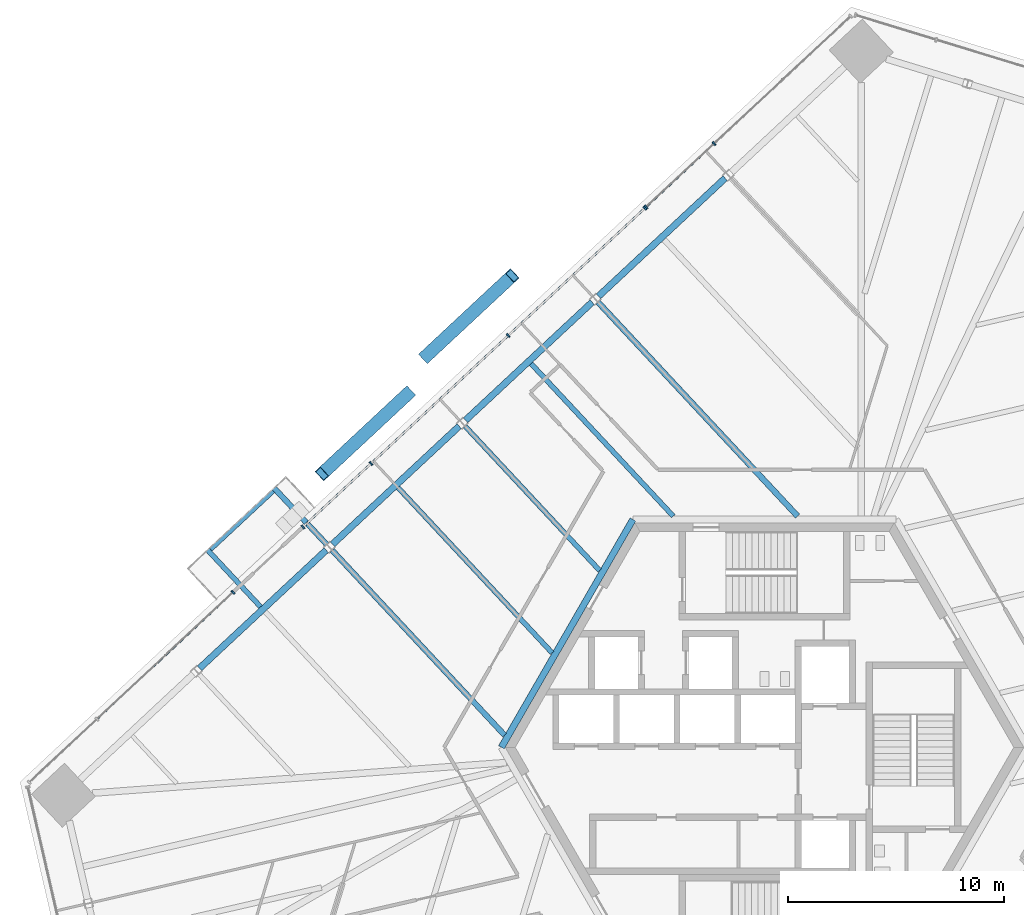
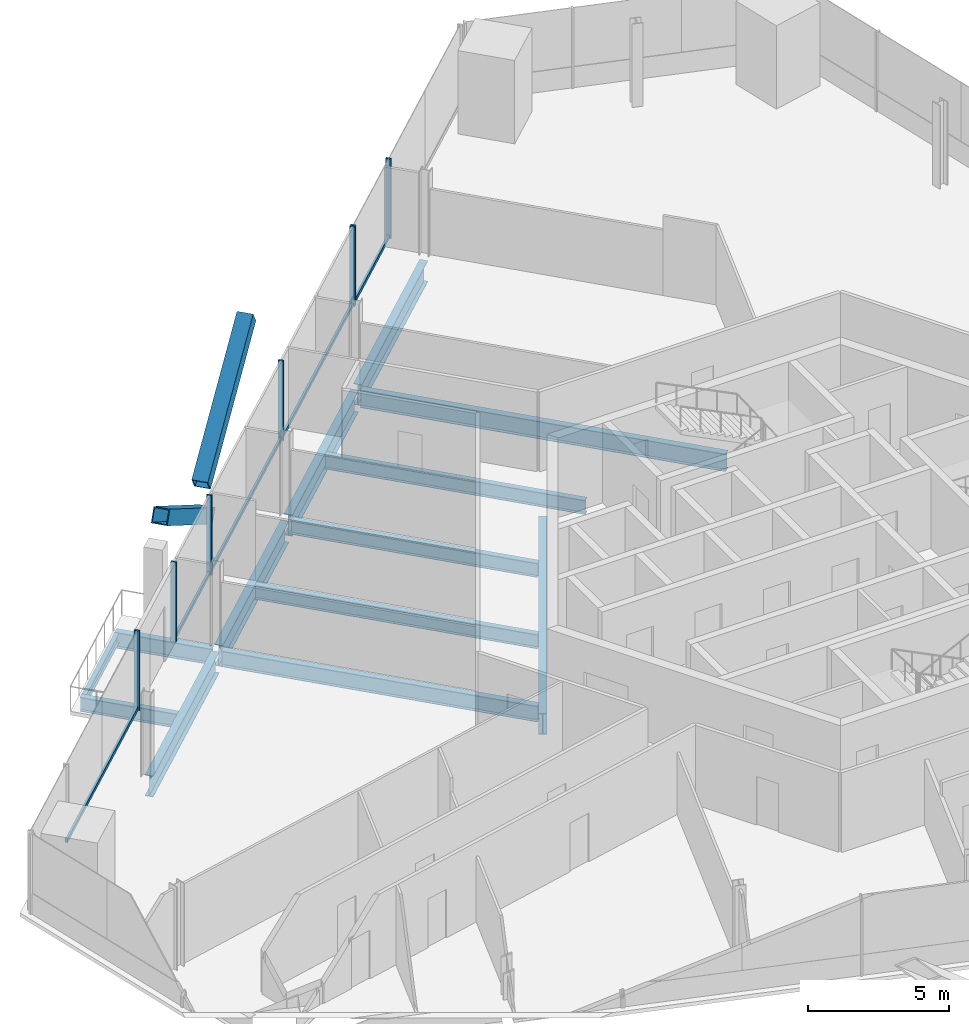
# One storey, part 8 of 20: 14 members, 13 beams, 3 elements without a shape of their own.
"""IFC4 building model written with IfcOpenShell, lengths in metres."""

import ifcopenshell
import ifcopenshell.guid

model = None  # the IFC model being written
_history = None  # IfcOwnerHistory: only IFC2X3 demands one
_inside = {}  # id of a spatial element -> (the spatial element, [elements in it])
_under = {}  # id of a project, library or spatial element -> (it, [spatial elements below it])
_declared = {}  # id of a project -> (the project, [libraries it declares])
_typed = {}  # id of a type object -> (the type object, [elements of that type])
_made_of = {}  # id of a material, layer set ... -> (it, [elements and type objects made of it])


def new_model(schema):
    """Start an empty IFC model of exactly this schema.

    Asked for "IFC4X3", IfcOpenShell would pick the latest addendum, in which some entities
    have other attributes; the version numbers below select the first issue.
    IFC2X3 requires an IfcOwnerHistory on every rooted entity: one is made here for all.
    """
    global model, _history
    if schema == "IFC4X3":
        model = ifcopenshell.file(schema_version=(4, 3, 0, 0))
    else:
        model = ifcopenshell.file(schema=schema)
    _inside.clear()
    _under.clear()
    _declared.clear()
    _typed.clear()
    _made_of.clear()
    _history = None
    if model.schema == "IFC2X3":
        org = make("IfcOrganization", Name="unknown")
        user = make(
            "IfcPersonAndOrganization",
            ThePerson=make("IfcPerson", FamilyName="unknown"),
            TheOrganization=org,
        )
        app = make(
            "IfcApplication",
            ApplicationDeveloper=org,
            Version="unknown",
            ApplicationFullName="unknown",
            ApplicationIdentifier="unknown",
        )
        _history = make(
            "IfcOwnerHistory",
            OwningUser=user,
            OwningApplication=app,
            ChangeAction="ADDED",
            CreationDate=0,
        )
    return model


def make(cls, **values):
    """One entity of the class cls with the attributes given. An attribute that is None is left unset."""
    return model.create_entity(
        cls, **{name: value for name, value in values.items() if value is not None}
    )


def rooted(cls, **values):
    """An entity with a GlobalId (a new one), such as an element, a storey or a relation."""
    return make(cls, GlobalId=ifcopenshell.guid.new(), OwnerHistory=_history, **values)


def si_unit(unit_type, name, prefix=None):
    """IfcSIUnit, for example si_unit("LENGTHUNIT", "METRE", prefix="MILLI")."""
    return make("IfcSIUnit", UnitType=unit_type, Prefix=prefix, Name=name)


def assignment(units):
    """IfcUnitAssignment: the units of a project."""
    return None if units is None else make("IfcUnitAssignment", Units=units)


def point(xyz):
    """IfcCartesianPoint."""
    return None if xyz is None else make("IfcCartesianPoint", Coordinates=xyz)


def direction(xyz):
    """IfcDirection."""
    return None if xyz is None else make("IfcDirection", DirectionRatios=xyz)


def frame(location, z_axis=None, x_axis=None):
    """IfcAxis2Placement3D, a coordinate frame: its origin and axes. An axis left out is left unset."""
    return make(
        "IfcAxis2Placement3D",
        Location=point(location),
        Axis=direction(z_axis),
        RefDirection=direction(x_axis),
    )


def frame_2d(location, x_axis=None):
    """IfcAxis2Placement2D, a coordinate frame in the plane: its origin and x axis."""
    return make(
        "IfcAxis2Placement2D", Location=point(location), RefDirection=direction(x_axis)
    )


def origin():
    """The frame at (0, 0, 0) with its axes left unset."""
    return frame((0.0, 0.0, 0.0))


def origin_2d():
    """The frame at (0, 0) in the plane with its x axis left unset."""
    return frame_2d((0.0, 0.0))


def place(relative_to, where):
    """IfcLocalPlacement: puts the frame where relative to a parent placement (None: the world)."""
    return make(
        "IfcLocalPlacement", PlacementRelTo=relative_to, RelativePlacement=where
    )


def context(
    kind, dimensions, precision=None, world=None, true_north=None, identifier=None
):
    """IfcGeometricRepresentationContext, for example the 3D "Model" context."""
    return make(
        "IfcGeometricRepresentationContext",
        ContextIdentifier=identifier,
        ContextType=kind,
        CoordinateSpaceDimension=dimensions,
        Precision=precision,
        WorldCoordinateSystem=world,
        TrueNorth=true_north,
    )


def subcontext(parent, identifier, kind, view, scale=None):
    """IfcGeometricRepresentationSubContext, for example "Body" below "Model"."""
    return make(
        "IfcGeometricRepresentationSubContext",
        ContextIdentifier=identifier,
        ContextType=kind,
        ParentContext=parent,
        TargetScale=scale,
        TargetView=view,
    )


def project(units=None, contexts=None):
    """IfcProject with its units and contexts."""
    return rooted(
        "IfcProject",
        Name="project",
        RepresentationContexts=contexts,
        UnitsInContext=assignment(units),
    )


def spatial(cls, under=None, at=None, **own):
    """A site, building, storey or space (cls), placed at a placement, below another one or the project."""
    s = rooted(cls, ObjectPlacement=at, **own)
    if under is not None:
        _under.setdefault(under.id(), (under, []))[1].append(s)
    return s


def profile(cls, at=None, kind="AREA", **sizes):
    """A parametric profile (cls). Its sizes go by their IFC names, for example OverallWidth=200.0."""
    return make(cls, ProfileType=kind, Position=at, **sizes)


def rectangle(**sizes):
    """IfcRectangleProfileDef."""
    return profile("IfcRectangleProfileDef", **sizes)


def hollow_rectangle(**sizes):
    """IfcRectangleHollowProfileDef."""
    return profile("IfcRectangleHollowProfileDef", **sizes)


def i_section(**sizes):
    """IfcIShapeProfileDef."""
    return profile("IfcIShapeProfileDef", **sizes)


def extrude(swept, where, along, depth):
    """IfcExtrudedAreaSolid: the profile swept, set in the frame where, extruded along a direction by depth."""
    return make(
        "IfcExtrudedAreaSolid",
        SweptArea=swept,
        Position=where,
        ExtrudedDirection=direction(along),
        Depth=depth,
    )


def shape(context_of_items, identifier, shape_type, items):
    """IfcShapeRepresentation: the items that make up one representation, for example the "Body"."""
    return make(
        "IfcShapeRepresentation",
        ContextOfItems=context_of_items,
        RepresentationIdentifier=identifier,
        RepresentationType=shape_type,
        Items=items,
    )


def source(mapping_origin, context_of_items, identifier, shape_type, items):
    """IfcRepresentationMap: a shape defined once, which mapped items show again and again."""
    return make(
        "IfcRepresentationMap",
        MappingOrigin=mapping_origin,
        MappedRepresentation=shape(context_of_items, identifier, shape_type, items),
    )


def transform(
    local_origin,
    x_axis=None,
    y_axis=None,
    z_axis=None,
    scale=None,
    scale2=None,
    scale3=None,
    uniform=True,
):
    """IfcCartesianTransformationOperator3D, or its non-uniform kind. x_axis, y_axis, z_axis: its Axis1, 2, 3."""
    if uniform:
        return make(
            "IfcCartesianTransformationOperator3D",
            Axis1=direction(x_axis),
            Axis2=direction(y_axis),
            LocalOrigin=point(local_origin),
            Scale=scale,
            Axis3=direction(z_axis),
        )
    return make(
        "IfcCartesianTransformationOperator3DnonUniform",
        Axis1=direction(x_axis),
        Axis2=direction(y_axis),
        LocalOrigin=point(local_origin),
        Scale=scale,
        Axis3=direction(z_axis),
        Scale2=scale2,
        Scale3=scale3,
    )


def mapped(mapping_source, mapping_target):
    """IfcMappedItem: shows the shape of a source again, moved by a transform."""
    return make(
        "IfcMappedItem", MappingSource=mapping_source, MappingTarget=mapping_target
    )


def material(Name=None, Category=None):
    """IfcMaterial."""
    return make("IfcMaterial", Name=Name, Category=Category)


def material_profile(
    of_material, cross_section, Name=None, Category=None, Priority=None
):
    """IfcMaterialProfile: a cross section and its material."""
    return make(
        "IfcMaterialProfile",
        Name=Name,
        Material=of_material,
        Profile=cross_section,
        Priority=Priority,
        Category=Category,
    )


def profile_set(profiles, Name=None, composite=None):
    """IfcMaterialProfileSet."""
    return make(
        "IfcMaterialProfileSet",
        Name=Name,
        MaterialProfiles=profiles,
        CompositeProfile=composite,
    )


def made_of(thing, what):
    """Note that an element or type object is made of a material, layer set ...; save() writes the relation."""
    if what is not None:
        _made_of.setdefault(what.id(), (what, []))[1].append(thing)
    return thing


def type_object(cls, material=None, **own):
    """A type object (cls), such as IfcWallType, which elements share."""
    return made_of(rooted(cls, **own), material)


def element(
    cls,
    number,
    at=None,
    inside=None,
    cuts=None,
    type_object=None,
    material=None,
    context=None,
    identifier="Body",
    shape_type=None,
    held_by="IfcProductDefinitionShape",
    body=None,
    shapes=None,
    **own,
):
    """One element of the class cls, such as IfcWall. Its Tag is "e" and its number.

    at: its placement. inside: the storey or other place that contains it. cuts: it is an
    opening in that element (IfcRelVoidsElement). A single representation is given by context,
    identifier, shape_type and body (its items); several are given by shapes. held_by: the class
    of the entity that holds the representations. save() writes the other relations.
    """
    e = rooted(cls, Tag="e%d" % number, ObjectPlacement=at, **own)
    if body is not None:
        shapes = [shape(context, identifier, shape_type, body)]
    if shapes is not None:
        e.Representation = make(held_by, Representations=shapes)
    if inside is not None:
        _inside.setdefault(inside.id(), (inside, []))[1].append(e)
    if cuts is not None:
        rooted(
            "IfcRelVoidsElement", RelatingBuildingElement=cuts, RelatedOpeningElement=e
        )
    if type_object is not None:
        _typed.setdefault(type_object.id(), (type_object, []))[1].append(e)
    return made_of(e, material)


def aggregate(whole, parts):
    """IfcRelAggregates: a whole, such as a stair, and the parts it consists of."""
    return rooted("IfcRelAggregates", RelatingObject=whole, RelatedObjects=parts)


def save(model, path):
    """Write the relations noted so far, then the file.

    IfcRelAggregates (storeys below a building ...), IfcRelContainedInSpatialStructure (elements
    in a storey), IfcRelDefinesByType, IfcRelAssociatesMaterial and IfcRelDeclares: one each for
    every whole, place, type object, material and project.
    """
    for whole, parts in _under.values():
        aggregate(whole, parts)
    for where, things in _inside.values():
        rooted(
            "IfcRelContainedInSpatialStructure",
            RelatedElements=things,
            RelatingStructure=where,
        )
    for kind, things in _typed.values():
        rooted("IfcRelDefinesByType", RelatedObjects=things, RelatingType=kind)
    for what, things in _made_of.values():
        rooted("IfcRelAssociatesMaterial", RelatedObjects=things, RelatingMaterial=what)
    for by, libraries in _declared.values():
        rooted("IfcRelDeclares", RelatingContext=by, RelatedDefinitions=libraries)
    model.write(path)


model = new_model("IFC4")

# Units and contexts
model_context = context("Model", 3, precision=1e-05, world=origin(), true_north=direction((0.0, 1.0)))
body_context = subcontext(model_context, "Body", "Model", "MODEL_VIEW")
ifc_project = project(units=[si_unit("LENGTHUNIT", "METRE"), si_unit("AREAUNIT", "SQUARE_METRE"), si_unit("VOLUMEUNIT", "CUBIC_METRE"), si_unit("PLANEANGLEUNIT", "RADIAN"), si_unit("MASSUNIT", "GRAM", prefix="KILO")], contexts=[model_context])

# Site, building, storey
site_placement = place(None, origin())
site = spatial("IfcSite", under=ifc_project, at=site_placement, CompositionType="ELEMENT")
building_placement = place(site_placement, origin())
building = spatial("IfcBuilding", under=site, at=building_placement, Name="Triune Harvest Tower", CompositionType="ELEMENT")
storey_placement = place(building_placement, frame((0.0, 0.0, 116.300048828125)))
storey = spatial("IfcBuildingStorey", under=building, at=storey_placement, Name="L29", CompositionType="ELEMENT", Elevation=116.300048828125)

# Beams
ifc_material_1 = material(Name="Steel ASTM A992 Gr 50", Category="steel")
ifc_material_profile_1 = material_profile(ifc_material_1, i_section(OverallWidth=0.180908203125, OverallDepth=0.41650390625, WebThickness=0.010986328125, FlangeThickness=0.01806640625, at=origin_2d()), Name="W16x57")
ifc_profile_set_1 = profile_set([ifc_material_profile_1], Name="Steel ASTM A992 Gr 50")
beam_type_1 = type_object("IfcBeamType", Name="BE-1 balcony edge beam W16x57", PredefinedType="BEAM", material=ifc_profile_set_1)
beam_1_placement = place(storey_placement, frame((-25.627685546875, 9.143310546875, -0.368408203125), z_axis=(0.731362275465, 0.681989165623, 0.0), x_axis=(-0.681989165623, 0.731362275465, 0.0)))
element("IfcBeam", 1, at=beam_1_placement, inside=storey, type_object=beam_type_1, Name="Balcony edge beam B3-F3 L29.9", PredefinedType="BEAM", context=body_context, shape_type="SweptSolid", body=[
    extrude(i_section(OverallWidth=0.180908203125, OverallDepth=0.41650390625, WebThickness=0.010986328125, FlangeThickness=0.01806640625, at=origin_2d()), origin(), (0.0, 0.0, 1.0), 3.9658203125),
])
ifc_material_2 = material(Name="Steel ASTM A992 Gr 50", Category="steel")
ifc_material_profile_2 = material_profile(ifc_material_2, i_section(OverallWidth=0.3046875, OverallDepth=0.914306640625, WebThickness=0.0166015625, FlangeThickness=0.02587890625, at=origin_2d()), Name="W36x160")
ifc_profile_set_2 = profile_set([ifc_material_profile_2], Name="Steel ASTM A992 Gr 50")
beam_type_2 = type_object("IfcBeamType", Name="CG-1 Core ring girder W36x160", PredefinedType="BEAM", material=ifc_profile_set_2)
shared_shape_1 = source(origin(), body_context, "Body", "SweptSolid", [
    extrude(i_section(OverallWidth=0.3046875, OverallDepth=0.914306640625, WebThickness=0.0166015625, FlangeThickness=0.02587890625, at=origin_2d()), origin(), (0.0, 0.0, 1.0), 12.176025390625),
])
beam_2_placement = place(storey_placement, frame((-6.087890625, 10.544677734375, -0.6171875), z_axis=(-0.5000099932, -0.866019634131, 0.0), x_axis=(0.866019634131, -0.5000099932, 0.0)))
element("IfcBeam", 2, at=beam_2_placement, inside=storey, type_object=beam_type_2, Name="beam/L29/CG3", PredefinedType="BEAM", context=body_context, shape_type="MappedRepresentation", body=[
    mapped(shared_shape_1, transform((0.0, 0.0, 0.0), scale=1.0)),
])
ifc_material_3 = material(Name="Steel ASTM A992 Gr 50", Category="steel")
ifc_material_profile_3 = material_profile(ifc_material_3, i_section(OverallWidth=0.3046875, OverallDepth=0.914306640625, WebThickness=0.0166015625, FlangeThickness=0.02587890625, at=origin_2d()), Name="W36x160")
ifc_profile_set_3 = profile_set([ifc_material_profile_3], Name="Steel ASTM A992 Gr 50")
beam_type_3 = type_object("IfcBeamType", Name="SB-1 Spandrel beam W36x160", PredefinedType="SPANDREL", material=ifc_profile_set_3)
shared_shape_2 = source(origin(), body_context, "Body", "SweptSolid", [
    extrude(i_section(OverallWidth=0.3046875, OverallDepth=0.914306640625, WebThickness=0.0166015625, FlangeThickness=0.02587890625, at=origin_2d()), origin(), (0.0, 0.0, 1.0), 8.018310546875),
])
for number, where, z_axis, x_axis, name in (
    (3, (-7.9755859375, 20.600341796875, -0.6171875), (-0.731353889465, -0.681998158623, 0.0), (0.681998158623, -0.731353889465, 0.0), "beam/L29/SB11"),
    (4, (-14.129638671875, 14.86181640625, -0.6171875), (-0.731353889465, -0.681998158623, 0.0), (0.681998158623, -0.731353889465, 0.0), "beam/L29/SB12"),
):
    element("IfcBeam", number, at=place(storey_placement, frame(where, z_axis=z_axis, x_axis=x_axis)), inside=storey, type_object=beam_type_3, Name=name, PredefinedType="SPANDREL", context=body_context, shape_type="MappedRepresentation", body=[
        mapped(shared_shape_2, transform((0.0, 0.0, 0.0), scale=1.0)),
    ])
shared_shape_3 = source(origin(), body_context, "Body", "SweptSolid", [
    extrude(i_section(OverallWidth=0.3046875, OverallDepth=0.914306640625, WebThickness=0.0166015625, FlangeThickness=0.02587890625, at=origin_2d()), origin(), (0.0, 0.0, 1.0), 8.01806640625),
])
for number, where, z_axis, x_axis, name in (
    (5, (-1.82177734375, 26.339111328125, -0.6171875), (-0.731339727109, -0.682013345582, 0.0), (0.682013345582, -0.731339727109, 0.0), "beam/L29/SB10"),
    (6, (-20.28369140625, 9.123046875, -0.6171875), (-0.731339727109, -0.682013345582, 0.0), (0.682013345582, -0.731339727109, 0.0), "beam/L29/SB13"),
):
    element("IfcBeam", number, at=place(storey_placement, frame(where, z_axis=z_axis, x_axis=x_axis)), inside=storey, type_object=beam_type_3, Name=name, PredefinedType="SPANDREL", context=body_context, shape_type="MappedRepresentation", body=[
        mapped(shared_shape_3, transform((0.0, 0.0, 0.0), scale=1.0)),
    ])
ifc_material_4 = material(Name="Steel ASTM A992 Gr 50", Category="steel")
ifc_material_profile_4 = material_profile(ifc_material_4, i_section(OverallWidth=0.2666015625, OverallDepth=0.7568359375, WebThickness=0.013916015625, FlangeThickness=0.019287109375, at=origin_2d()), Name="W30x108")
ifc_profile_set_4 = profile_set([ifc_material_profile_4], Name="Steel ASTM A992 Gr 50")
beam_type_4 = type_object("IfcBeamType", Name="JT-5 Floor joist W30x108", PredefinedType="JOIST", material=ifc_profile_set_4)
shared_shape_4 = source(origin(), body_context, "Body", "SweptSolid", [
    extrude(i_section(OverallWidth=0.2666015625, OverallDepth=0.7568359375, WebThickness=0.013916015625, FlangeThickness=0.019287109375, at=origin_2d()), origin(), (0.0, 0.0, 1.0), 13.535400390625),
])
beam_3_placement = place(storey_placement, frame((-7.700927734375, 20.59619140625, -0.53857421875), z_axis=(0.681991710808, -0.731359902093, 0.0), x_axis=(0.731359902093, 0.681991710808, 0.0)))
element("IfcBeam", 7, at=beam_3_placement, inside=storey, type_object=beam_type_4, Name="beam/L29/JT17", PredefinedType="JOIST", context=body_context, shape_type="MappedRepresentation", body=[
    mapped(shared_shape_4, transform((0.0, 0.0, 0.0), scale=1.0)),
])
ifc_material_5 = material(Name="Steel ASTM A992 Gr 50", Category="steel")
ifc_material_profile_5 = material_profile(ifc_material_5, i_section(OverallWidth=0.22900390625, OverallDepth=0.612060546875, WebThickness=0.011962890625, FlangeThickness=0.01953125, at=origin_2d()), Name="W24x84")
ifc_profile_set_5 = profile_set([ifc_material_profile_5], Name="Steel ASTM A992 Gr 50")
beam_type_5 = type_object("IfcBeamType", Name="JT-3 Floor joist W24x84", PredefinedType="JOIST", material=ifc_profile_set_5)
shared_shape_5 = source(origin(), body_context, "Body", "SweptSolid", [
    extrude(i_section(OverallWidth=0.22900390625, OverallDepth=0.612060546875, WebThickness=0.011962890625, FlangeThickness=0.01953125, at=origin_2d()), origin(), (0.0, 0.0, 1.0), 9.64990234375),
])
beam_4_placement = place(storey_placement, frame((-10.8037109375, 17.754638671875, -0.466064453125), z_axis=(0.681982850357, -0.731368164346, 0.0), x_axis=(0.731368164346, 0.681982850357, 0.0)))
element("IfcBeam", 8, at=beam_4_placement, inside=storey, type_object=beam_type_5, Name="beam/L29/JT18", PredefinedType="JOIST", context=body_context, shape_type="MappedRepresentation", body=[
    mapped(shared_shape_5, transform((0.0, 0.0, 0.0), scale=1.0)),
])
shared_shape_6 = source(origin(), body_context, "Body", "SweptSolid", [
    extrude(i_section(OverallWidth=0.22900390625, OverallDepth=0.612060546875, WebThickness=0.011962890625, FlangeThickness=0.01953125, at=origin_2d()), origin(), (0.0, 0.0, 1.0), 9.12890625),
])
beam_5_placement = place(storey_placement, frame((-13.854736328125, 14.857421875, -0.466064453125), z_axis=(0.681991349896, -0.731360238642, 0.0), x_axis=(0.731360238642, 0.681991349896, 0.0)))
element("IfcBeam", 9, at=beam_5_placement, inside=storey, type_object=beam_type_5, Name="beam/L29/JT19", PredefinedType="JOIST", context=body_context, shape_type="MappedRepresentation", body=[
    mapped(shared_shape_6, transform((0.0, 0.0, 0.0), scale=1.0)),
])
shared_shape_7 = source(origin(), body_context, "Body", "SweptSolid", [
    extrude(i_section(OverallWidth=0.22900390625, OverallDepth=0.612060546875, WebThickness=0.011962890625, FlangeThickness=0.01953125, at=origin_2d()), origin(), (0.0, 0.0, 1.0), 10.453369140625),
])
beam_6_placement = place(storey_placement, frame((-16.957763671875, 12.01611328125, -0.466064453125), z_axis=(0.681989491602, -0.731361971492, 0.0), x_axis=(0.731361971492, 0.681989491602, 0.0)))
element("IfcBeam", 10, at=beam_6_placement, inside=storey, type_object=beam_type_5, Name="beam/L29/JT20", PredefinedType="JOIST", context=body_context, shape_type="MappedRepresentation", body=[
    mapped(shared_shape_7, transform((0.0, 0.0, 0.0), scale=1.0)),
])
ifc_material_6 = material(Name="Steel ASTM A992 Gr 50", Category="steel")
ifc_material_profile_6 = material_profile(ifc_material_6, i_section(OverallWidth=0.253662109375, OverallDepth=0.683349609375, WebThickness=0.012451171875, FlangeThickness=0.01904296875, at=origin_2d()), Name="W27x94")
ifc_profile_set_6 = profile_set([ifc_material_profile_6], Name="Steel ASTM A992 Gr 50")
beam_type_6 = type_object("IfcBeamType", Name="JT-4 Floor joist W27x94", PredefinedType="JOIST", material=ifc_profile_set_6)
shared_shape_8 = source(origin(), body_context, "Body", "SweptSolid", [
    extrude(i_section(OverallWidth=0.253662109375, OverallDepth=0.683349609375, WebThickness=0.012451171875, FlangeThickness=0.01904296875, at=origin_2d()), origin(), (0.0, 0.0, 1.0), 11.70166015625),
])
beam_7_placement = place(storey_placement, frame((-20.0087890625, 9.118896484375, -0.501708984375), z_axis=(0.681994076682, -0.731357695913, 0.0), x_axis=(0.731357695913, 0.681994076682, 0.0)))
element("IfcBeam", 11, at=beam_7_placement, inside=storey, type_object=beam_type_6, Name="beam/L29/JT21", PredefinedType="JOIST", context=body_context, shape_type="MappedRepresentation", body=[
    mapped(shared_shape_8, transform((0.0, 0.0, 0.0), scale=1.0)),
])

# Members
ifc_material_7 = material(Name="Steel ASTM A572 Gr 50", Category="steel")
ifc_material_profile_7 = material_profile(ifc_material_7, hollow_rectangle(XDim=0.60009765625, YDim=0.60009765625, WallThickness=0.0400390625, at=origin_2d()), Name="Box 600x600x40")
ifc_profile_set_7 = profile_set([ifc_material_profile_7], Name="Steel ASTM A572 Gr 50")
member_type_1 = type_object("IfcMemberType", Name="BR-2 Brace Box 600x600x40", PredefinedType="BRACE", material=ifc_profile_set_7)
shared_shape_9 = source(origin(), body_context, "Body", "SweptSolid", [
    extrude(hollow_rectangle(XDim=0.60009765625, YDim=0.60009765625, WallThickness=0.0400390625, at=origin_2d()), origin(), (0.0, 0.0, 1.0), 6.56640625),
])
member_1_placement = place(storey_placement, frame((-15.689453125, 18.08154296875, 0.0), z_axis=(0.611651490856, 0.570381467462, 0.548222067514), x_axis=(-0.682002980671, 0.731349392805, 0.0)))
element("IfcMember", 12, at=member_1_placement, inside=storey, type_object=member_type_1, Name="brace/B3-F3/d2/6", PredefinedType="BRACE", context=body_context, shape_type="MappedRepresentation", body=[
    mapped(shared_shape_9, transform((0.0, 0.0, 0.0), scale=1.0)),
])
shared_shape_10 = source(origin(), body_context, "Body", "SweptSolid", [
    extrude(hollow_rectangle(XDim=0.60009765625, YDim=0.60009765625, WallThickness=0.0400390625, at=origin_2d()), origin(), (0.0, 0.0, 1.0), 6.566162109375),
])
member_2_placement = place(storey_placement, frame((-16.4658203125, 16.400634765625, 0.0), z_axis=(-0.611628219627, -0.570394438741, 0.548234534857), x_axis=(0.682025155065, -0.731328713957, 0.0)))
element("IfcMember", 13, at=member_2_placement, inside=storey, type_object=member_type_1, Name="brace/B3-F3/d1/6", PredefinedType="BRACE", context=body_context, shape_type="MappedRepresentation", body=[
    mapped(shared_shape_10, transform((0.0, 0.0, 0.0), scale=1.0)),
])

# Curtain wall, members
ifc_material_8 = material(Name="Aluminium bronze anodised", Category="aluminium")
curtain_wall_type_1 = type_object("IfcCurtainWallType", Name="CW-6 Balcony window wall", PredefinedType="NOTDEFINED", material=ifc_material_8)
curtain_wall_1_placement = place(storey_placement, origin())
curtain_wall_1 = element("IfcCurtainWall", 14, at=curtain_wall_1_placement, inside=storey, type_object=curtain_wall_type_1, Name="CW-6 B3-F3 L29 run 1")
ifc_material_9 = material(Name="Aluminium bronze anodised", Category="aluminium")
ifc_material_profile_8 = material_profile(ifc_material_9, rectangle(XDim=0.199951171875, YDim=0.074951171875, at=origin_2d()), Name="MU-6 mullion 75 x 200")
ifc_profile_set_8 = profile_set([ifc_material_profile_8], Name="Aluminium bronze anodised")
member_type_2 = type_object("IfcMemberType", Name="MU-6 mullion 75 x 200", PredefinedType="MULLION", material=ifc_profile_set_8)
shared_shape_11 = source(origin(), body_context, "Body", "SweptSolid", [
    extrude(rectangle(XDim=0.199951171875, YDim=0.074951171875, at=origin_2d()), origin(), (0.0, 0.0, 1.0), 3.43994140625),
])
member_3_placement = place(storey_placement, frame((-2.33447265625, 27.9375, 0.0), z_axis=(0.0, 0.0, 1.0), x_axis=(0.681996819127, -0.731355138562, 0.0)))
member_3 = element("IfcMember", 15, at=member_3_placement, type_object=member_type_2, Name="CW-6 mullion B3-F3 1.3", PredefinedType="MULLION", context=body_context, shape_type="MappedRepresentation", body=[
    mapped(shared_shape_11, transform((0.0, 0.0, 0.0), scale=1.0)),
])
member_4_placement = place(storey_placement, frame((-5.482666015625, 25.001708984375, 0.0), z_axis=(0.0, 0.0, 1.0), x_axis=(0.681996819127, -0.731355138562, 0.0)))
member_4 = element("IfcMember", 16, at=member_4_placement, type_object=member_type_2, Name="CW-6 mullion B3-F3 1.4", PredefinedType="MULLION", context=body_context, shape_type="MappedRepresentation", body=[
    mapped(shared_shape_11, transform((0.0, 0.0, 0.0), scale=1.0)),
])

ifc_material_10 = material(Name="Aluminium bronze anodised", Category="aluminium")
curtain_wall_type_2 = type_object("IfcCurtainWallType", Name="CW-10 Balcony window wall with insulated spandrel infill", PredefinedType="NOTDEFINED", material=ifc_material_10)
curtain_wall_2_placement = place(storey_placement, origin())
curtain_wall_2 = element("IfcCurtainWall", 17, at=curtain_wall_2_placement, inside=storey, type_object=curtain_wall_type_2, Name="CW-10 B3-F3 L29 run 1001")
member_5_placement = place(storey_placement, frame((-5.53759765625, 24.950439453125, 0.0), z_axis=(0.0, 0.0, 1.0), x_axis=(0.681999864016, -0.731352299157, 0.0)))
member_5 = element("IfcMember", 18, at=member_5_placement, type_object=member_type_2, Name="CW-10 mullion B3-F3 1001.1", PredefinedType="MULLION", context=body_context, shape_type="MappedRepresentation", body=[
    mapped(shared_shape_11, transform((0.0, 0.0, 0.0), scale=1.0)),
])
member_6_placement = place(storey_placement, frame((-11.861328125, 19.053466796875, 0.0), z_axis=(0.0, 0.0, 1.0), x_axis=(0.681999864016, -0.731352299157, 0.0)))
member_6 = element("IfcMember", 19, at=member_6_placement, type_object=member_type_2, Name="CW-10 mullion B3-F3 1001.3", PredefinedType="MULLION", context=body_context, shape_type="MappedRepresentation", body=[
    mapped(shared_shape_11, transform((0.0, 0.0, 0.0), scale=1.0)),
])
member_7_placement = place(storey_placement, frame((-18.212646484375, 13.130859375, 0.0), z_axis=(0.0, 0.0, 1.0), x_axis=(0.681999864016, -0.731352299157, 0.0)))
member_7 = element("IfcMember", 20, at=member_7_placement, type_object=member_type_2, Name="CW-10 mullion B3-F3 1001.5", PredefinedType="MULLION", context=body_context, shape_type="MappedRepresentation", body=[
    mapped(shared_shape_11, transform((0.0, 0.0, 0.0), scale=1.0)),
])
member_8_placement = place(storey_placement, frame((-21.360595703125, 10.195068359375, 0.0), z_axis=(0.0, 0.0, 1.0), x_axis=(0.681999864016, -0.731352299157, 0.0)))
member_8 = element("IfcMember", 21, at=member_8_placement, type_object=member_type_2, Name="CW-10 mullion B3-F3 1001.6", PredefinedType="MULLION", context=body_context, shape_type="MappedRepresentation", body=[
    mapped(shared_shape_11, transform((0.0, 0.0, 0.0), scale=1.0)),
])

# Curtain wall, member
curtain_wall_3_placement = place(storey_placement, origin())
curtain_wall_3 = element("IfcCurtainWall", 22, at=curtain_wall_3_placement, inside=storey, type_object=curtain_wall_type_1, Name="CW-6 B3-F3 L29 run 2")
member_9_placement = place(storey_placement, frame((-24.599365234375, 7.175048828125, 0.0), z_axis=(0.0, 0.0, 1.0), x_axis=(0.681998722179, -0.73135336394, 0.0)))
member_9 = element("IfcMember", 23, at=member_9_placement, type_object=member_type_2, Name="CW-6 mullion B3-F3 2.1", PredefinedType="MULLION", context=body_context, shape_type="MappedRepresentation", body=[
    mapped(shared_shape_11, transform((0.0, 0.0, 0.0), scale=1.0)),
])

# Beams
ifc_material_11 = material(Name="Steel ASTM A992 Gr 50", Category="steel")
ifc_material_profile_9 = material_profile(ifc_material_11, i_section(OverallWidth=0.22900390625, OverallDepth=0.612060546875, WebThickness=0.011962890625, FlangeThickness=0.01953125, at=origin_2d()), Name="W24x84")
ifc_profile_set_9 = profile_set([ifc_material_profile_9], Name="Steel ASTM A992 Gr 50")
beam_type_7 = type_object("IfcBeamType", Name="BJ-3 Balcony cantilever joist W24x84", PredefinedType="JOIST", material=ifc_profile_set_9)
shared_shape_12 = source(origin(), body_context, "Body", "SweptSolid", [
    extrude(i_section(OverallWidth=0.22900390625, OverallDepth=0.612060546875, WebThickness=0.011962890625, FlangeThickness=0.01953125, at=origin_2d()), origin(), (0.0, 0.0, 1.0), 3.59765625),
])
beam_8_placement = place(storey_placement, frame((-23.319580078125, 6.500244140625, -0.466064453125), z_axis=(-0.682008701807, 0.731344057649, 0.0), x_axis=(-0.731344057649, -0.682008701807, 0.0)))
element("IfcBeam", 24, at=beam_8_placement, inside=storey, type_object=beam_type_7, Name="Balcony cantilever joist B3-F3 L29.9a", PredefinedType="JOIST", context=body_context, shape_type="MappedRepresentation", body=[
    mapped(shared_shape_12, transform((0.0, 0.0, 0.0), scale=1.0)),
])
ifc_material_12 = material(Name="Steel ASTM A992 Gr 50", Category="steel")
ifc_material_profile_10 = material_profile(ifc_material_12, i_section(OverallWidth=0.253662109375, OverallDepth=0.683349609375, WebThickness=0.012451171875, FlangeThickness=0.01904296875, at=origin_2d()), Name="W27x94")
ifc_profile_set_10 = profile_set([ifc_material_profile_10], Name="Steel ASTM A992 Gr 50")
beam_type_8 = type_object("IfcBeamType", Name="BJ-4 Balcony cantilever joist W27x94", PredefinedType="JOIST", material=ifc_profile_set_10)
shared_shape_13 = source(origin(), body_context, "Body", "SweptSolid", [
    extrude(i_section(OverallWidth=0.253662109375, OverallDepth=0.683349609375, WebThickness=0.012451171875, FlangeThickness=0.01904296875, at=origin_2d()), origin(), (0.0, 0.0, 1.0), 3.597412109375),
])
beam_9_placement = place(storey_placement, frame((-20.24267578125, 9.36962890625, -0.501708984375), z_axis=(-0.681972402572, 0.73137790651, 0.0), x_axis=(-0.73137790651, -0.681972402572, 0.0)))
element("IfcBeam", 25, at=beam_9_placement, inside=storey, type_object=beam_type_8, Name="Balcony cantilever joist B3-F3 L29.9b", PredefinedType="JOIST", context=body_context, shape_type="MappedRepresentation", body=[
    mapped(shared_shape_13, transform((0.0, 0.0, 0.0), scale=1.0)),
])

# Member
ifc_material_13 = material(Name="Aluminium bronze anodised", Category="aluminium")
ifc_material_profile_11 = material_profile(ifc_material_13, rectangle(XDim=0.090087890625, YDim=0.14990234375, at=origin_2d()), Name="TR-6 transom 90 x 150")
ifc_profile_set_11 = profile_set([ifc_material_profile_11], Name="Aluminium bronze anodised")
member_type_3 = type_object("IfcMemberType", Name="TR-6 transom 90 x 150", PredefinedType="USERDEFINED", material=ifc_profile_set_11)
shared_shape_14 = source(origin(), body_context, "Body", "SweptSolid", [
    extrude(rectangle(XDim=0.090087890625, YDim=0.14990234375, at=origin_2d()), origin(), (0.0, 0.0, 1.0), 8.57177734375),
])
member_10_placement = place(storey_placement, frame((-5.56494140625, 24.925048828125, 0.074951171875), z_axis=(-0.731355440198, -0.68199649566, 0.0), x_axis=(0.68199649566, -0.731355440198, 0.0)))
member_10 = element("IfcMember", 26, at=member_10_placement, type_object=member_type_3, Name="CW-10 transom B3-F3 1001.1", ObjectType="TRANSOM", PredefinedType="USERDEFINED", context=body_context, shape_type="MappedRepresentation", body=[
    mapped(shared_shape_14, transform((0.0, 0.0, 0.0), scale=1.0)),
])

shared_shape_15 = source(origin(), body_context, "Body", "SweptSolid", [
    extrude(rectangle(XDim=0.090087890625, YDim=0.14990234375, at=origin_2d()), origin(), (0.0, 0.0, 1.0), 4.2294921875),
])
member_11_placement = place(storey_placement, frame((-18.239990234375, 13.105224609375, 0.074951171875), z_axis=(-0.731352726785, -0.681999405443, 0.0), x_axis=(0.681999405443, -0.731352726785, 0.0)))
member_11 = element("IfcMember", 27, at=member_11_placement, type_object=member_type_3, Name="CW-10 transom B3-F3 1001.3", ObjectType="TRANSOM", PredefinedType="USERDEFINED", context=body_context, shape_type="MappedRepresentation", body=[
    mapped(shared_shape_15, transform((0.0, 0.0, 0.0), scale=1.0)),
])

shared_shape_16 = source(origin(), body_context, "Body", "SweptSolid", [
    extrude(rectangle(XDim=0.090087890625, YDim=0.14990234375, at=origin_2d()), origin(), (0.0, 0.0, 1.0), 4.229736328125),
])
member_12_placement = place(storey_placement, frame((-2.36181640625, 27.911865234375, 0.074951171875), z_axis=(-0.731379573476, -0.681970614838, 0.0), x_axis=(0.681970614838, -0.731379573476, 0.0)))
member_12 = element("IfcMember", 28, at=member_12_placement, type_object=member_type_3, Name="CW-6 transom B3-F3 1.2", ObjectType="TRANSOM", PredefinedType="USERDEFINED", context=body_context, shape_type="MappedRepresentation", body=[
    mapped(shared_shape_16, transform((0.0, 0.0, 0.0), scale=1.0)),
])

aggregate(curtain_wall_1, [member_3, member_4, member_12])

shared_shape_17 = source(origin(), body_context, "Body", "SweptSolid", [
    extrude(rectangle(XDim=0.090087890625, YDim=0.14990234375, at=origin_2d()), origin(), (0.0, 0.0, 1.0), 8.609130859375),
])
member_13_placement = place(storey_placement, frame((-11.888671875, 19.02783203125, 0.074951171875), z_axis=(-0.731361680153, -0.681989804032, 0.0), x_axis=(0.681989804032, -0.731361680153, 0.0)))
member_13 = element("IfcMember", 29, at=member_13_placement, type_object=member_type_3, Name="CW-10 transom B3-F3 1001.2", ObjectType="TRANSOM", PredefinedType="USERDEFINED", context=body_context, shape_type="MappedRepresentation", body=[
    mapped(shared_shape_17, transform((0.0, 0.0, 0.0), scale=1.0)),
])

aggregate(curtain_wall_2, [member_5, member_6, member_7, member_8, member_10, member_13, member_11])

shared_shape_18 = source(origin(), body_context, "Body", "SweptSolid", [
    extrude(rectangle(XDim=0.090087890625, YDim=0.14990234375, at=origin_2d()), origin(), (0.0, 0.0, 1.0), 8.534423828125),
])
member_14_placement = place(storey_placement, frame((-24.626708984375, 7.1494140625, 0.074951171875), z_axis=(-0.731363414067, -0.681987944589, 0.0), x_axis=(0.681987944589, -0.731363414067, 0.0)))
member_14 = element("IfcMember", 30, at=member_14_placement, type_object=member_type_3, Name="CW-6 transom B3-F3 2.1", ObjectType="TRANSOM", PredefinedType="USERDEFINED", context=body_context, shape_type="MappedRepresentation", body=[
    mapped(shared_shape_18, transform((0.0, 0.0, 0.0), scale=1.0)),
])

aggregate(curtain_wall_3, [member_9, member_14])

save(model, "model.ifc")
